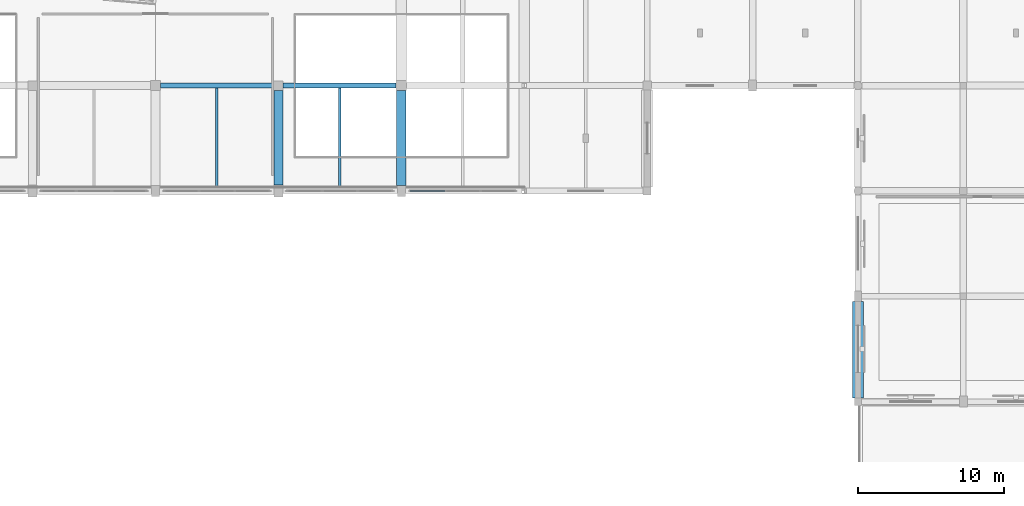
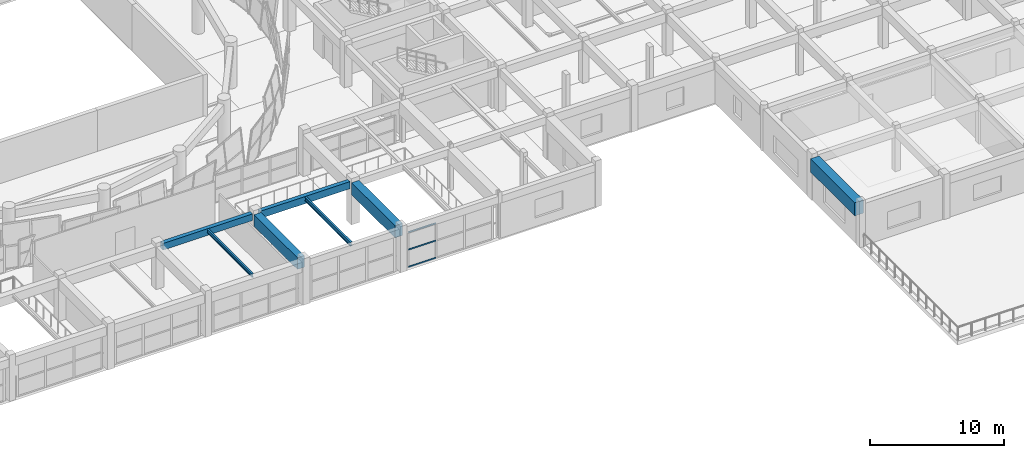
# One storey, part 20 of 71: 7 beams, 3 members, 1 element without a shape of its own.
"""IFC4 building model written with IfcOpenShell, lengths in metres."""

from ifc_helpers import new_model, si_unit, direction, frame, origin, origin_2d, place, context, subcontext, project, spatial, rectangle, hollow_rectangle, i_section, extrude, material, material_profile, profile_set, type_object, element, aggregate, save


model = new_model("IFC4")

# Units and contexts
model_context = context("Model", 3, precision=1e-05, world=origin(), true_north=direction((0.0, 1.0)))
body_context = subcontext(model_context, "Body", "Model", "MODEL_VIEW")
ifc_project = project(units=[si_unit("LENGTHUNIT", "METRE"), si_unit("AREAUNIT", "SQUARE_METRE"), si_unit("VOLUMEUNIT", "CUBIC_METRE"), si_unit("PLANEANGLEUNIT", "RADIAN"), si_unit("MASSUNIT", "GRAM", prefix="KILO")], contexts=[model_context])

# Site, building, storey
site_placement = place(None, origin())
site = spatial("IfcSite", under=ifc_project, at=site_placement, CompositionType="ELEMENT")
building_placement = place(site_placement, origin())
building = spatial("IfcBuilding", under=site, at=building_placement, Name="Korsvaeld Concert Hall", CompositionType="ELEMENT")
storey_placement = place(building_placement, frame((0.0, 0.0, 4.800048828125)))
storey = spatial("IfcBuildingStorey", under=building, at=storey_placement, Name="L01", CompositionType="ELEMENT", Elevation=4.800048828125)

# Beams
ifc_material_1 = material(Name="Concrete C35/45", Category="concrete")
ifc_material_profile_1 = material_profile(ifc_material_1, rectangle(XDim=0.35009765625, YDim=0.60009765625, at=origin_2d()), Name="RC 350x600")
ifc_profile_set_1 = profile_set([ifc_material_profile_1], Name="Concrete C35/45")
beam_type_1 = type_object("IfcBeamType", Name="BM-RC-350x600", PredefinedType="T_BEAM", material=ifc_profile_set_1)
beam_1_placement = place(storey_placement, frame((84.35009765625, 36.0, 3.5400390625), z_axis=(1.0, 0.0, 0.0), x_axis=(0.0, 1.0, 0.0)))
element("IfcBeam", 1, at=beam_1_placement, inside=storey, type_object=beam_type_1, Name="Primary girder 12-13/F L01", PredefinedType="T_BEAM", context=body_context, shape_type="SweptSolid", body=[
    extrude(rectangle(XDim=0.35009765625, YDim=0.60009765625, at=origin_2d()), origin(), (0.0, 0.0, 1.0), 7.724853515625),
])
ifc_material_profile_2 = material_profile(ifc_material_1, rectangle(XDim=0.35009765625, YDim=0.64990234375, at=origin_2d()), Name="RC 350x650")
ifc_profile_set_2 = profile_set([ifc_material_profile_2], Name="Concrete C35/45")
beam_type_2 = type_object("IfcBeamType", Name="BM-RC-350x650", PredefinedType="T_BEAM", material=ifc_profile_set_2)
beam_2_placement = place(storey_placement, frame((92.72509765625, 36.0, 3.514892578125), z_axis=(1.0, 0.0, 0.0), x_axis=(0.0, 1.0, 0.0)))
element("IfcBeam", 2, at=beam_2_placement, inside=storey, type_object=beam_type_2, Name="Primary girder 13-14/F L01", PredefinedType="T_BEAM", context=body_context, shape_type="SweptSolid", body=[
    extrude(rectangle(XDim=0.35009765625, YDim=0.64990234375, at=origin_2d()), origin(), (0.0, 0.0, 1.0), 7.724853515625),
])
ifc_material_2 = material(Name="Concrete C40/50", Category="concrete")
ifc_material_profile_3 = material_profile(ifc_material_2, rectangle(XDim=0.60009765625, YDim=1.050048828125, at=origin_2d()), Name="RC 600x1050")
ifc_profile_set_3 = profile_set([ifc_material_profile_3], Name="Concrete C40/50")
beam_type_3 = type_object("IfcBeamType", Name="BM-RC-600x1050", PredefinedType="T_BEAM", material=ifc_profile_set_3)
beam_3_placement = place(storey_placement, frame((92.39990234375, 29.199951171875, 3.31494140625), z_axis=(0.0, 1.0, 0.0), x_axis=(-1.0, 0.0, 0.0)))
element("IfcBeam", 3, at=beam_3_placement, inside=storey, type_object=beam_type_3, Name="Primary girder 13/E-F L01", PredefinedType="T_BEAM", context=body_context, shape_type="SweptSolid", body=[
    extrude(rectangle(XDim=0.60009765625, YDim=1.050048828125, at=origin_2d()), origin(), (0.0, 0.0, 1.0), 6.47509765625),
])
ifc_material_profile_4 = material_profile(ifc_material_2, rectangle(XDim=0.64990234375, YDim=1.10009765625, at=origin_2d()), Name="RC 650x1100")
ifc_profile_set_4 = profile_set([ifc_material_profile_4], Name="Concrete C40/50")
beam_type_4 = type_object("IfcBeamType", Name="BM-RC-650x1100", PredefinedType="T_BEAM", material=ifc_profile_set_4)
beam_4_placement = place(storey_placement, frame((100.800048828125, 29.175048828125, 3.2900390625), z_axis=(0.0, 1.0, 0.0), x_axis=(-1.0, 0.0, 0.0)))
element("IfcBeam", 4, at=beam_4_placement, inside=storey, type_object=beam_type_4, Name="Primary girder 14/E-F L01", PredefinedType="T_BEAM", context=body_context, shape_type="SweptSolid", body=[
    extrude(rectangle(XDim=0.64990234375, YDim=1.10009765625, at=origin_2d()), origin(), (0.0, 0.0, 1.0), 6.474853515625),
])
ifc_material_profile_5 = material_profile(ifc_material_2, rectangle(XDim=0.75, YDim=1.199951171875, at=origin_2d()), Name="RC 750x1200")
ifc_profile_set_5 = profile_set([ifc_material_profile_5], Name="Concrete C40/50")
beam_type_5 = type_object("IfcBeamType", Name="BM-RC-750x1200", PredefinedType="T_BEAM", material=ifc_profile_set_5)
beam_5_placement = place(storey_placement, frame((132.0, 14.64990234375, 3.239990234375), z_axis=(0.0, 1.0, 0.0), x_axis=(-1.0, 0.0, 0.0)))
element("IfcBeam", 5, at=beam_5_placement, inside=storey, type_object=beam_type_5, Name="Primary girder 18/C-D L01", PredefinedType="T_BEAM", context=body_context, shape_type="SweptSolid", body=[
    extrude(rectangle(XDim=0.75, YDim=1.199951171875, at=origin_2d()), origin(), (0.0, 0.0, 1.0), 6.60009765625),
])
ifc_material_3 = material(Name="Steel S355J2", Category="steel")
ifc_material_profile_6 = material_profile(ifc_material_3, i_section(OverallWidth=0.159912109375, OverallDepth=0.330078125, WebThickness=0.007568359375, FlangeThickness=0.011474609375, FilletRadius=0.01806640625, at=origin_2d()), Name="IPE 330")
ifc_profile_set_6 = profile_set([ifc_material_profile_6], Name="Steel S355J2")
beam_type_6 = type_object("IfcBeamType", Name="BM-STL-IPE330", PredefinedType="BEAM", material=ifc_profile_set_6)
beam_6_placement = place(storey_placement, frame((88.199951171875, 29.074951171875, 3.675048828125), z_axis=(0.0, 1.0, 0.0), x_axis=(-1.0, 0.0, 0.0)))
element("IfcBeam", 6, at=beam_6_placement, inside=storey, type_object=beam_type_6, Name="Secondary steel floor beam 12-13/E L01", PredefinedType="BEAM", context=body_context, shape_type="SweptSolid", body=[
    extrude(i_section(OverallWidth=0.159912109375, OverallDepth=0.330078125, WebThickness=0.007568359375, FlangeThickness=0.011474609375, FilletRadius=0.01806640625, at=origin_2d()), origin(), (0.0, 0.0, 1.0), 6.75),
])
ifc_material_profile_7 = material_profile(ifc_material_3, i_section(OverallWidth=0.169921875, OverallDepth=0.360107421875, WebThickness=0.008056640625, FlangeThickness=0.0126953125, FilletRadius=0.01806640625, at=origin_2d()), Name="IPE 360")
ifc_profile_set_7 = profile_set([ifc_material_profile_7], Name="Steel S355J2")
beam_type_7 = type_object("IfcBeamType", Name="BM-STL-IPE360", PredefinedType="BEAM", material=ifc_profile_set_7)
beam_7_placement = place(storey_placement, frame((96.60009765625, 28.97509765625, 3.659912109375), z_axis=(0.0, 1.0, 0.0), x_axis=(-1.0, 0.0, 0.0)))
element("IfcBeam", 7, at=beam_7_placement, inside=storey, type_object=beam_type_7, Name="Secondary steel floor beam 13-14/E L01", PredefinedType="BEAM", context=body_context, shape_type="SweptSolid", body=[
    extrude(i_section(OverallWidth=0.169921875, OverallDepth=0.360107421875, WebThickness=0.008056640625, FlangeThickness=0.0126953125, FilletRadius=0.01806640625, at=origin_2d()), origin(), (0.0, 0.0, 1.0), 6.849853515625),
])

# Curtain wall, members
ifc_material_4 = material(Name="Anodised bronze and ceramic-fritted safety glass", Category="glass")
curtain_wall_type = type_object("IfcCurtainWallType", Name="CW-TYPE-15", PredefinedType="USERDEFINED", material=ifc_material_4)
curtain_wall_placement = place(storey_placement, origin())
curtain_wall = element("IfcCurtainWall", 8, at=curtain_wall_placement, inside=storey, type_object=curtain_wall_type, Name="Wintergarden foyer curtain wall L01-07", ObjectType="CURTAIN WALL", PredefinedType="USERDEFINED")
ifc_material_5 = material(Name="Anodised architectural bronze aluminium", Category="aluminium")
ifc_material_profile_8 = material_profile(ifc_material_5, hollow_rectangle(XDim=0.06005859375, YDim=0.1201171875, WallThickness=0.00390625, at=origin_2d()), Name="CWT 120x60x4")
ifc_profile_set_8 = profile_set([ifc_material_profile_8], Name="Anodised architectural bronze aluminium")
member_type = type_object("IfcMemberType", Name="CWT-ALUM-120x60", PredefinedType="USERDEFINED", material=ifc_profile_set_8)
member_1_placement = place(storey_placement, frame((103.75341796875, 28.800048828125, 0.030029296875), z_axis=(-1.0, 0.0, 0.0), x_axis=(0.0, -1.0, 0.0)))
member_1 = element("IfcMember", 9, at=member_1_placement, type_object=member_type, Name="CW-15 transom 3.1", ObjectType="TRANSOM", PredefinedType="USERDEFINED", context=body_context, shape_type="SweptSolid", body=[
    extrude(hollow_rectangle(XDim=0.06005859375, YDim=0.1201171875, WallThickness=0.00390625, at=origin_2d()), origin(), (0.0, 0.0, 1.0), 2.343505859375),
])
member_2_placement = place(storey_placement, frame((103.75341796875, 28.800048828125, 1.594970703125), z_axis=(-1.0, 0.0, 0.0), x_axis=(0.0, -1.0, 0.0)))
member_2 = element("IfcMember", 10, at=member_2_placement, type_object=member_type, Name="CW-15 transom 3.2", ObjectType="TRANSOM", PredefinedType="USERDEFINED", context=body_context, shape_type="SweptSolid", body=[
    extrude(hollow_rectangle(XDim=0.06005859375, YDim=0.1201171875, WallThickness=0.00390625, at=origin_2d()), origin(), (0.0, 0.0, 1.0), 2.343505859375),
])
member_3_placement = place(storey_placement, frame((103.75341796875, 28.800048828125, 3.159912109375), z_axis=(-1.0, 0.0, 0.0), x_axis=(0.0, -1.0, 0.0)))
member_3 = element("IfcMember", 11, at=member_3_placement, type_object=member_type, Name="CW-15 transom 3.3", ObjectType="TRANSOM", PredefinedType="USERDEFINED", context=body_context, shape_type="SweptSolid", body=[
    extrude(hollow_rectangle(XDim=0.06005859375, YDim=0.1201171875, WallThickness=0.00390625, at=origin_2d()), origin(), (0.0, 0.0, 1.0), 2.343505859375),
])
aggregate(curtain_wall, [member_1, member_2, member_3])

save(model, "model.ifc")
